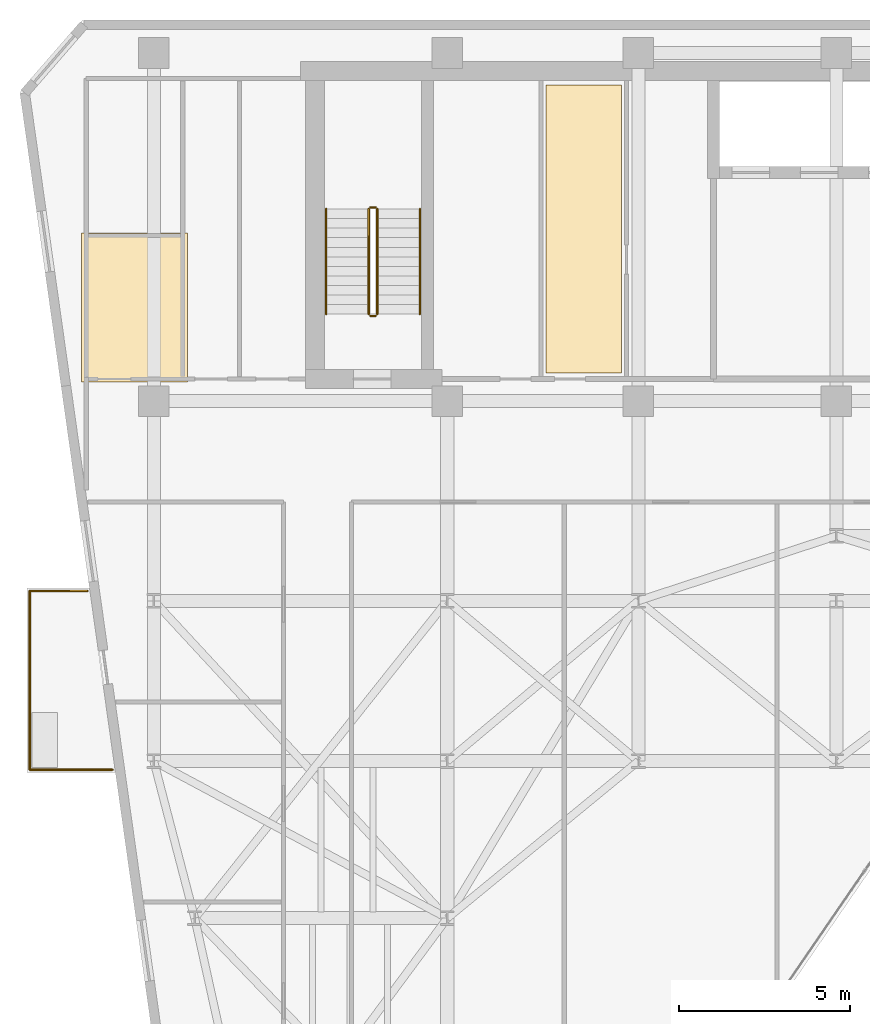
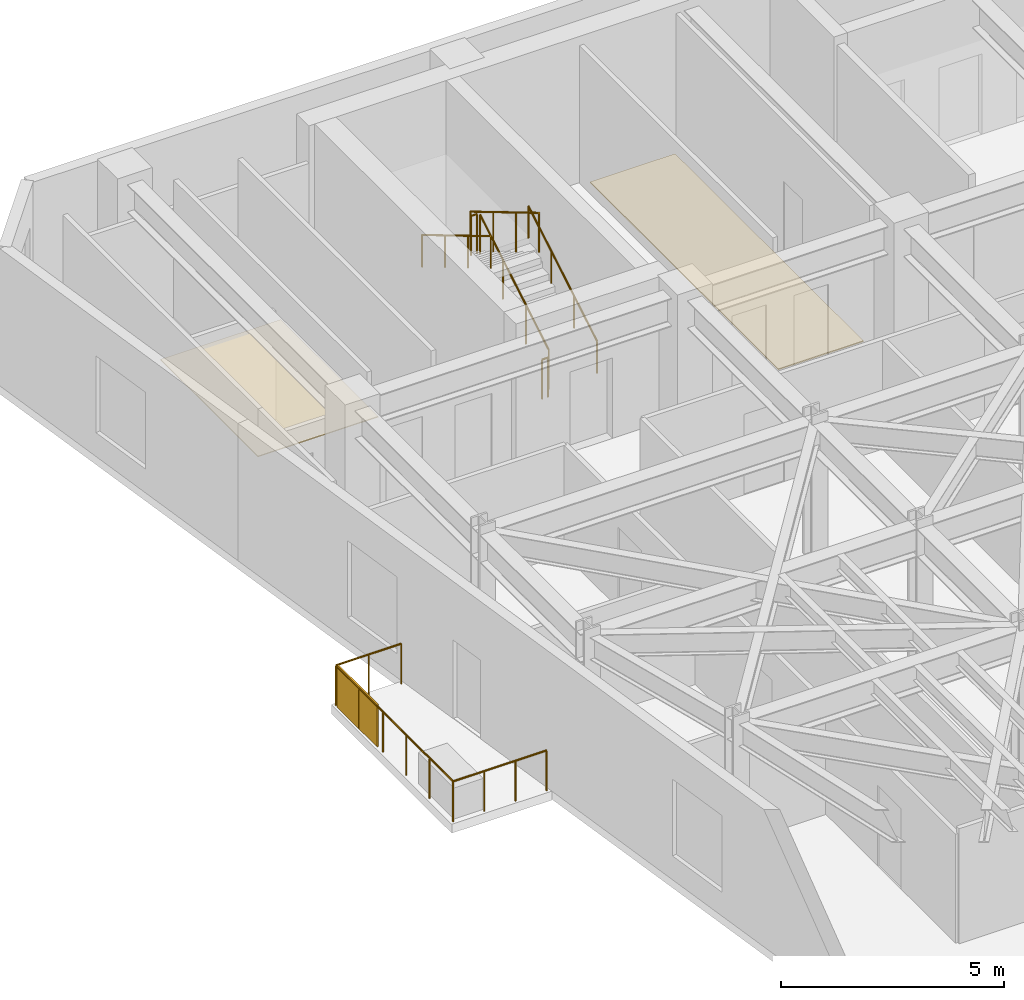
# One storey, part 19 of 21: 9 railings, 2 coverings, 1 shading device.
"""IFC4 building model written with IfcOpenShell, lengths in metres."""

from ifc_helpers import new_model, si_unit, direction, frame, origin, origin_2d, place, context, subcontext, project, spatial, polyline, rectangle, circle, outline, extrude, material, layer, layer_set, type_object, element, save


model = new_model("IFC4")

# Units and contexts
model_context = context("Model", 3, precision=1e-05, world=origin(), true_north=direction((0.0, 1.0)))
body_context = subcontext(model_context, "Body", "Model", "MODEL_VIEW")
ifc_project = project(units=[si_unit("LENGTHUNIT", "METRE"), si_unit("AREAUNIT", "SQUARE_METRE"), si_unit("VOLUMEUNIT", "CUBIC_METRE"), si_unit("PLANEANGLEUNIT", "RADIAN"), si_unit("MASSUNIT", "GRAM", prefix="KILO")], contexts=[model_context])

# Site, building, storey
site_placement = place(None, origin())
site = spatial("IfcSite", under=ifc_project, at=site_placement, CompositionType="ELEMENT")
building_placement = place(site_placement, origin())
building = spatial("IfcBuilding", under=site, at=building_placement, Name="Kravanh Interchange Tower", CompositionType="ELEMENT")
storey_placement = place(building_placement, frame((0.0, 0.0, 192.5)))
storey = spatial("IfcBuildingStorey", under=building, at=storey_placement, Name="L46", CompositionType="ELEMENT", Elevation=192.5)

# Coverings
ifc_material_1 = material(Name="Cementitious Terrazzo Tile")
ifc_layer_1 = layer(ifc_material_1, 0.030029296875)
ifc_layer_set_1 = layer_set([ifc_layer_1], Name="Honed Terrazzo Lobby Flooring 30mm")
covering_type_1 = type_object("IfcCoveringType", Name="Honed Terrazzo Lobby Flooring 30mm", PredefinedType="FLOORING", material=ifc_layer_set_1)
covering_1_placement = place(storey_placement, origin())
element("IfcCovering", 1, at=covering_1_placement, inside=storey, type_object=covering_type_1, Name="L46 First Aid and Lactation Room Floor Finish", PredefinedType="FLOORING", context=body_context, shape_type="SweptSolid", body=[
    extrude(outline(polyline([(30.10009765625, 46.6201171875), (32.300048828125, 46.6201171875), (32.300048828125, 38.179931640625), (30.10009765625, 38.179931640625), (30.10009765625, 46.6201171875)])), origin(), (0.0, 0.0, 1.0), 0.030029296875),
])
ifc_material_2 = material(Name="Acoustic Mineral Fibre Tile on Aluminium Grid", Category="aluminium")
ifc_layer_2 = layer(ifc_material_2, 0.02490234375)
ifc_layer_set_2 = layer_set([ifc_layer_2], Name="Perforated Acoustic Mineral Ceiling 25mm")
covering_type_2 = type_object("IfcCoveringType", Name="Perforated Acoustic Mineral Ceiling 25mm", PredefinedType="CEILING", material=ifc_layer_set_2)
covering_2_placement = place(storey_placement, frame((0.0, 0.0, 2.550048828125)))
element("IfcCovering", 2, at=covering_2_placement, inside=storey, type_object=covering_type_2, Name="L46 Accessible WC Suspended Ceiling", PredefinedType="CEILING", context=body_context, shape_type="SweptSolid", body=[
    extrude(outline(polyline([(19.590087890625, 42.280029296875), (19.590087890625, 37.909912109375), (16.47998046875, 37.909912109375), (16.47998046875, 42.280029296875), (19.590087890625, 42.280029296875)])), origin(), (0.0, 0.0, 1.0), 0.02490234375),
])

# Shading device
ifc_material_3 = material(Name="Perforated Anodised Bronze Aluminium", Category="aluminium")
ifc_layer_3 = layer(ifc_material_3, 0.0400390625)
ifc_layer_set_3 = layer_set([ifc_layer_3], Name="Perforated Bronze Balcony Privacy Screen 1150mm")
shading_device_type = type_object("IfcShadingDeviceType", Name="Perforated Bronze Balcony Privacy Screen 1150mm", PredefinedType="USERDEFINED", material=ifc_layer_set_3)
shading_device_placement = place(storey_placement, frame((14.967041015625, 30.820068359375, 0.0), z_axis=(0.0, 0.0, 1.0), x_axis=(1.0, 0.0, 0.0)))
element("IfcShadingDevice", 3, at=shading_device_placement, inside=storey, type_object=shading_device_type, Name="L46 W Perforated Bronze BALCONY SCREEN", ObjectType="SCREEN", PredefinedType="USERDEFINED", context=body_context, shape_type="SweptSolid", body=[
    extrude(rectangle(XDim=0.0400390625, YDim=1.800048828125, at=origin_2d()), origin(), (0.0, 0.0, 1.0), 1.14990234375),
])

# Railings
ifc_material_4 = material(Name="Stainless Steel 316", Category="steel")
ifc_layer_4 = layer(ifc_material_4, 0.06005859375)
ifc_layer_set_4 = layer_set([ifc_layer_4], Name="Perimeter Balcony and Terrace Guardrail Stainless 316 1120mm")
railing_type_1 = type_object("IfcRailingType", Name="Perimeter Balcony and Terrace Guardrail Stainless 316 1120mm", PredefinedType="GUARDRAIL", material=ifc_layer_set_4)
railing_1_placement = place(storey_placement, frame((14.967041015625, 26.550048828125, 0.0)))
element("IfcRailing", 4, at=railing_1_placement, inside=storey, type_object=railing_type_1, Name="L46 W Balcony Guardrail 1", PredefinedType="GUARDRAIL", context=body_context, shape_type="SweptSolid", body=[
    extrude(circle(Radius=0.02392578125, at=origin_2d()), frame((0.0, 0.0, 1.09619140625), z_axis=(0.0, 1.0, 0.0), x_axis=(-1.0, 0.0, 0.0)), (0.0, 0.0, 1.0), 5.239990234375),
    extrude(circle(Radius=0.02099609375, at=origin_2d()), origin(), (0.0, 0.0, 1.0), 1.072021484375),
    extrude(circle(Radius=0.02099609375, at=origin_2d()), frame((0.0, 1.048095703125, 0.0)), (0.0, 0.0, 1.0), 1.072021484375),
    extrude(circle(Radius=0.02099609375, at=origin_2d()), frame((0.0, 2.095947265625, 0.0)), (0.0, 0.0, 1.0), 1.072021484375),
    extrude(circle(Radius=0.02099609375, at=origin_2d()), frame((0.0, 3.14404296875, 0.0)), (0.0, 0.0, 1.0), 1.072021484375),
    extrude(circle(Radius=0.02099609375, at=origin_2d()), frame((0.0, 4.19189453125, 0.0)), (0.0, 0.0, 1.0), 1.072021484375),
    extrude(circle(Radius=0.02099609375, at=origin_2d()), frame((0.0, 5.239990234375, 0.0)), (0.0, 0.0, 1.0), 1.072021484375),
])
railing_2_placement = place(storey_placement, frame((14.967041015625, 31.7900390625, 0.0)))
element("IfcRailing", 5, at=railing_2_placement, inside=storey, type_object=railing_type_1, Name="L46 W Balcony Guardrail 2", PredefinedType="GUARDRAIL", context=body_context, shape_type="SweptSolid", body=[
    extrude(circle(Radius=0.02392578125, at=origin_2d()), frame((0.0, 0.0, 1.09619140625), z_axis=(1.0, 0.0, 0.0), x_axis=(0.0, 1.0, 0.0)), (0.0, 0.0, 1.0), 1.685546875),
    extrude(circle(Radius=0.02099609375, at=origin_2d()), origin(), (0.0, 0.0, 1.0), 1.072021484375),
    extrude(circle(Radius=0.02099609375, at=origin_2d()), frame((0.8427734375, 0.0, 0.0)), (0.0, 0.0, 1.0), 1.072021484375),
    extrude(circle(Radius=0.02099609375, at=origin_2d()), frame((1.685546875, 0.0, 0.0)), (0.0, 0.0, 1.0), 1.072021484375),
])
railing_3_placement = place(storey_placement, frame((17.388916015625, 26.550048828125, 0.0)))
element("IfcRailing", 6, at=railing_3_placement, inside=storey, type_object=railing_type_1, Name="L46 W Balcony Guardrail 3", PredefinedType="GUARDRAIL", context=body_context, shape_type="SweptSolid", body=[
    extrude(circle(Radius=0.02392578125, at=origin_2d()), frame((0.0, 0.0, 1.09619140625), z_axis=(-1.0, 0.0, 0.0), x_axis=(0.0, -1.0, 0.0)), (0.0, 0.0, 1.0), 2.421875),
    extrude(circle(Radius=0.02099609375, at=origin_2d()), origin(), (0.0, 0.0, 1.0), 1.072021484375),
    extrude(circle(Radius=0.02099609375, at=origin_2d()), frame((-0.807373046875, 0.0, 0.0)), (0.0, 0.0, 1.0), 1.072021484375),
    extrude(circle(Radius=0.02099609375, at=origin_2d()), frame((-1.614501953125, 0.0, 0.0)), (0.0, 0.0, 1.0), 1.072021484375),
    extrude(circle(Radius=0.02099609375, at=origin_2d()), frame((-2.421875, 0.0, 0.0)), (0.0, 0.0, 1.0), 1.072021484375),
])
ifc_material_5 = material(Name="Structural Steel S355", Category="steel")
ifc_layer_5 = layer(ifc_material_5, 0.050048828125)
ifc_layer_set_5 = layer_set([ifc_layer_5], Name="Stair Well Guardrail Structural Steel S355 1100mm")
railing_type_2 = type_object("IfcRailingType", Name="Stair Well Guardrail Structural Steel S355 1100mm", PredefinedType="GUARDRAIL", material=ifc_layer_set_5)
railing_4_placement = place(storey_placement, frame((25.14990234375, 39.89990234375, 0.166748046875)))
element("IfcRailing", 7, at=railing_4_placement, inside=storey, type_object=railing_type_2, Name="L46 ST3 stair guard 1", PredefinedType="GUARDRAIL", context=body_context, shape_type="SweptSolid", body=[
    extrude(circle(Radius=0.02392578125, at=origin_2d()), frame((0.0, 0.0, 1.076171875), z_axis=(0.0, 0.859308565015, 0.511457515432), x_axis=(-1.0, 0.0, 0.0)), (0.0, 0.0, 1.0), 3.58447265625),
    extrude(circle(Radius=0.02099609375, at=origin_2d()), origin(), (0.0, 0.0, 1.0), 1.052001953125),
    extrude(circle(Radius=0.02099609375, at=origin_2d()), frame((0.0, 1.026611328125, 0.611083984375)), (0.0, 0.0, 1.0), 1.052001953125),
    extrude(circle(Radius=0.02099609375, at=origin_2d()), frame((0.0, 2.053466796875, 1.22216796875)), (0.0, 0.0, 1.0), 1.052001953125),
    extrude(circle(Radius=0.02099609375, at=origin_2d()), frame((0.0, 3.080078125, 1.833251953125)), (0.0, 0.0, 1.0), 1.052001953125),
])
railing_5_placement = place(storey_placement, frame((25.10009765625, 43.030029296875, 2.0)))
element("IfcRailing", 8, at=railing_5_placement, inside=storey, type_object=railing_type_2, Name="L46 ST3 stair guard 2", PredefinedType="GUARDRAIL", context=body_context, shape_type="SweptSolid", body=[
    extrude(circle(Radius=0.02392578125, at=origin_2d()), frame((0.0, 0.0, 1.076171875), z_axis=(-1.0, 0.0, 0.0), x_axis=(0.0, -1.0, 0.0)), (0.0, 0.0, 1.0), 0.150146484375),
    extrude(circle(Radius=0.02099609375, at=origin_2d()), origin(), (0.0, 0.0, 1.0), 1.052001953125),
    extrude(circle(Radius=0.02099609375, at=origin_2d()), frame((-0.150146484375, 0.0, 0.0)), (0.0, 0.0, 1.0), 1.052001953125),
])
railing_6_placement = place(storey_placement, frame((24.89990234375, 42.97998046875, 2.166748046875)))
element("IfcRailing", 9, at=railing_6_placement, inside=storey, type_object=railing_type_2, Name="L46 ST3 stair guard 3", PredefinedType="GUARDRAIL", context=body_context, shape_type="SweptSolid", body=[
    extrude(circle(Radius=0.02392578125, at=origin_2d()), frame((0.0, 0.0, 1.076171875), z_axis=(0.0, -0.859308565015, 0.511457515432), x_axis=(1.0, 0.0, 0.0)), (0.0, 0.0, 1.0), 3.58447265625),
    extrude(circle(Radius=0.02099609375, at=origin_2d()), origin(), (0.0, 0.0, 1.0), 1.052001953125),
    extrude(circle(Radius=0.02099609375, at=origin_2d()), frame((0.0, -1.026611328125, 0.611083984375)), (0.0, 0.0, 1.0), 1.052001953125),
    extrude(circle(Radius=0.02099609375, at=origin_2d()), frame((0.0, -2.053466796875, 1.22216796875)), (0.0, 0.0, 1.0), 1.052001953125),
    extrude(circle(Radius=0.02099609375, at=origin_2d()), frame((0.0, -3.080078125, 1.833251953125)), (0.0, 0.0, 1.0), 1.052001953125),
])
railing_7_placement = place(storey_placement, frame((25.10009765625, 39.85009765625, 0.0)))
element("IfcRailing", 10, at=railing_7_placement, inside=storey, type_object=railing_type_2, Name="L46 ST3 stair guard 4", PredefinedType="GUARDRAIL", context=body_context, shape_type="SweptSolid", body=[
    extrude(circle(Radius=0.02392578125, at=origin_2d()), frame((0.0, 0.0, 1.076171875), z_axis=(-1.0, 0.0, 0.0), x_axis=(0.0, -1.0, 0.0)), (0.0, 0.0, 1.0), 0.150146484375),
    extrude(circle(Radius=0.02099609375, at=origin_2d()), origin(), (0.0, 0.0, 1.0), 1.052001953125),
    extrude(circle(Radius=0.02099609375, at=origin_2d()), frame((-0.150146484375, 0.0, 0.0)), (0.0, 0.0, 1.0), 1.052001953125),
])
ifc_material_6 = material(Name="Stainless Steel 304", Category="steel")
ifc_layer_6 = layer(ifc_material_6, 0.044921875)
ifc_layer_set_6 = layer_set([ifc_layer_6], Name="Tubular Stair Handrail Stainless 304 900mm")
railing_type_3 = type_object("IfcRailingType", Name="Tubular Stair Handrail Stainless 304 900mm", PredefinedType="HANDRAIL", material=ifc_layer_set_6)
railing_8_placement = place(storey_placement, frame((26.39990234375, 39.89990234375, 0.166748046875)))
element("IfcRailing", 11, at=railing_8_placement, inside=storey, type_object=railing_type_3, Name="L46 ST3 stair handrail 1", PredefinedType="HANDRAIL", context=body_context, shape_type="SweptSolid", body=[
    extrude(circle(Radius=0.02392578125, at=origin_2d()), frame((0.0, 0.0, 0.8759765625), z_axis=(0.0, 0.859308565015, 0.511457515432), x_axis=(-1.0, 0.0, 0.0)), (0.0, 0.0, 1.0), 3.58447265625),
    extrude(circle(Radius=0.02099609375, at=origin_2d()), origin(), (0.0, 0.0, 1.0), 0.851806640625),
    extrude(circle(Radius=0.02099609375, at=origin_2d()), frame((0.0, 1.026611328125, 0.611083984375)), (0.0, 0.0, 1.0), 0.851806640625),
    extrude(circle(Radius=0.02099609375, at=origin_2d()), frame((0.0, 2.053466796875, 1.22216796875)), (0.0, 0.0, 1.0), 0.851806640625),
    extrude(circle(Radius=0.02099609375, at=origin_2d()), frame((0.0, 3.080078125, 1.833251953125)), (0.0, 0.0, 1.0), 0.851806640625),
])
railing_9_placement = place(storey_placement, frame((23.64990234375, 42.97998046875, 2.166748046875)))
element("IfcRailing", 12, at=railing_9_placement, inside=storey, type_object=railing_type_3, Name="L46 ST3 stair handrail 2", PredefinedType="HANDRAIL", context=body_context, shape_type="SweptSolid", body=[
    extrude(circle(Radius=0.02392578125, at=origin_2d()), frame((0.0, 0.0, 0.8759765625), z_axis=(0.0, -0.859308565015, 0.511457515432), x_axis=(1.0, 0.0, 0.0)), (0.0, 0.0, 1.0), 3.58447265625),
    extrude(circle(Radius=0.02099609375, at=origin_2d()), origin(), (0.0, 0.0, 1.0), 0.851806640625),
    extrude(circle(Radius=0.02099609375, at=origin_2d()), frame((0.0, -1.026611328125, 0.611083984375)), (0.0, 0.0, 1.0), 0.851806640625),
    extrude(circle(Radius=0.02099609375, at=origin_2d()), frame((0.0, -2.053466796875, 1.22216796875)), (0.0, 0.0, 1.0), 0.851806640625),
    extrude(circle(Radius=0.02099609375, at=origin_2d()), frame((0.0, -3.080078125, 1.833251953125)), (0.0, 0.0, 1.0), 0.851806640625),
])

save(model, "model.ifc")
